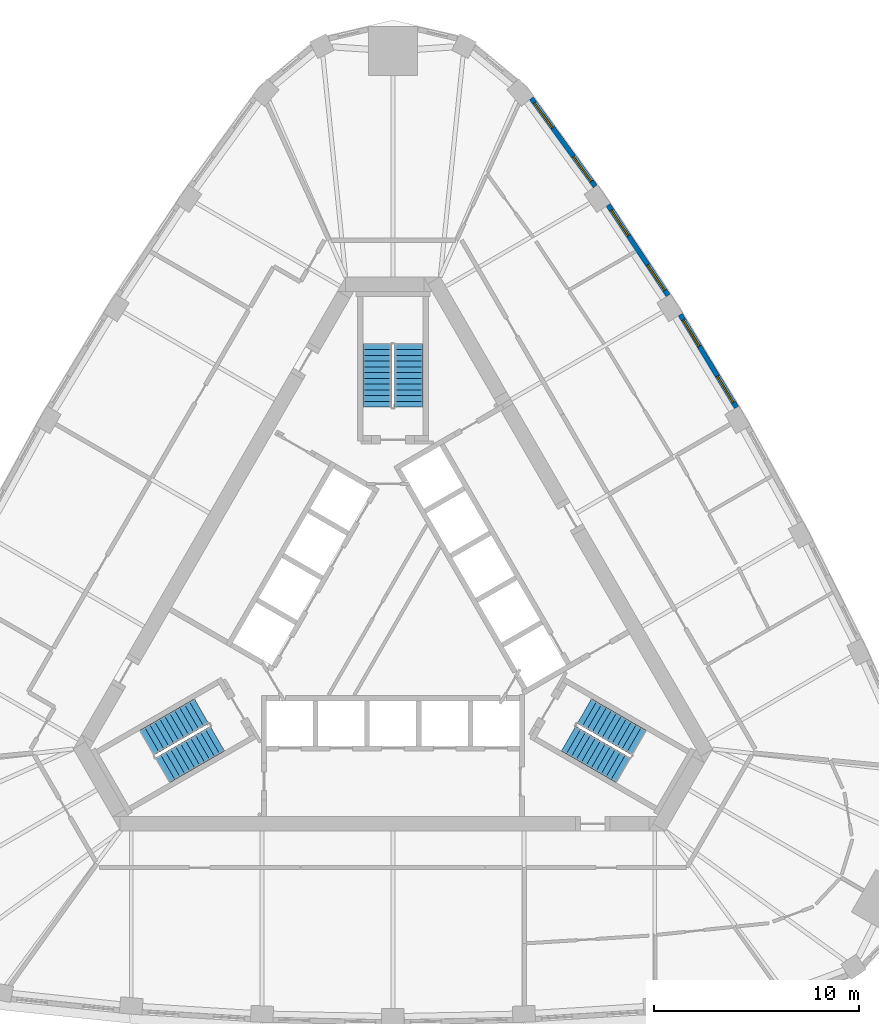
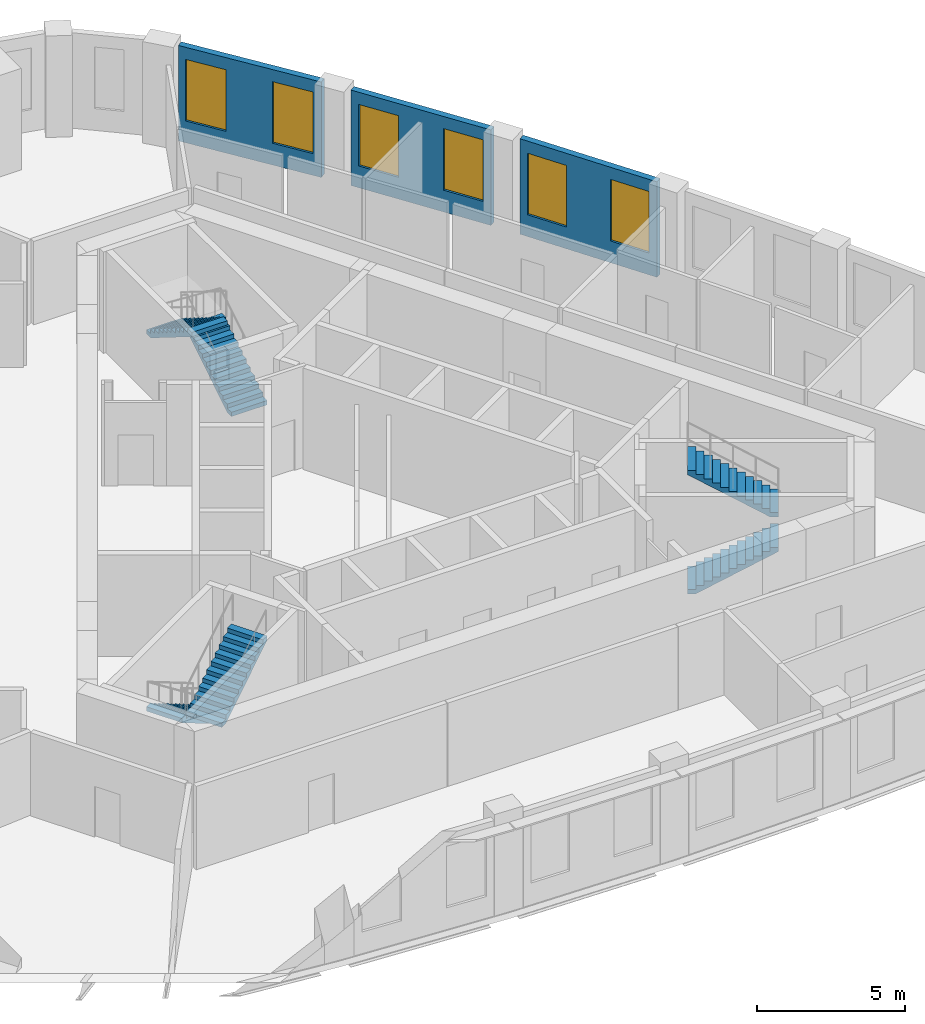
# One storey, part 9 of 10: 6 stair flights, 6 windows, 3 walls, 6 openings, 3 elements without a shape of their own.
"""IFC4 building model written with IfcOpenShell, lengths in metres."""

import ifcopenshell
import ifcopenshell.guid

model = None  # the IFC model being written
_history = None  # IfcOwnerHistory: only IFC2X3 demands one
_inside = {}  # id of a spatial element -> (the spatial element, [elements in it])
_under = {}  # id of a project, library or spatial element -> (it, [spatial elements below it])
_declared = {}  # id of a project -> (the project, [libraries it declares])
_typed = {}  # id of a type object -> (the type object, [elements of that type])
_made_of = {}  # id of a material, layer set ... -> (it, [elements and type objects made of it])


def new_model(schema):
    """Start an empty IFC model of exactly this schema.

    Asked for "IFC4X3", IfcOpenShell would pick the latest addendum, in which some entities
    have other attributes; the version numbers below select the first issue.
    IFC2X3 requires an IfcOwnerHistory on every rooted entity: one is made here for all.
    """
    global model, _history
    if schema == "IFC4X3":
        model = ifcopenshell.file(schema_version=(4, 3, 0, 0))
    else:
        model = ifcopenshell.file(schema=schema)
    _inside.clear()
    _under.clear()
    _declared.clear()
    _typed.clear()
    _made_of.clear()
    _history = None
    if model.schema == "IFC2X3":
        org = make("IfcOrganization", Name="unknown")
        user = make(
            "IfcPersonAndOrganization",
            ThePerson=make("IfcPerson", FamilyName="unknown"),
            TheOrganization=org,
        )
        app = make(
            "IfcApplication",
            ApplicationDeveloper=org,
            Version="unknown",
            ApplicationFullName="unknown",
            ApplicationIdentifier="unknown",
        )
        _history = make(
            "IfcOwnerHistory",
            OwningUser=user,
            OwningApplication=app,
            ChangeAction="ADDED",
            CreationDate=0,
        )
    return model


def make(cls, **values):
    """One entity of the class cls with the attributes given. An attribute that is None is left unset."""
    return model.create_entity(
        cls, **{name: value for name, value in values.items() if value is not None}
    )


def rooted(cls, **values):
    """An entity with a GlobalId (a new one), such as an element, a storey or a relation."""
    return make(cls, GlobalId=ifcopenshell.guid.new(), OwnerHistory=_history, **values)


def si_unit(unit_type, name, prefix=None):
    """IfcSIUnit, for example si_unit("LENGTHUNIT", "METRE", prefix="MILLI")."""
    return make("IfcSIUnit", UnitType=unit_type, Prefix=prefix, Name=name)


def assignment(units):
    """IfcUnitAssignment: the units of a project."""
    return None if units is None else make("IfcUnitAssignment", Units=units)


def point(xyz):
    """IfcCartesianPoint."""
    return None if xyz is None else make("IfcCartesianPoint", Coordinates=xyz)


def direction(xyz):
    """IfcDirection."""
    return None if xyz is None else make("IfcDirection", DirectionRatios=xyz)


def frame(location, z_axis=None, x_axis=None):
    """IfcAxis2Placement3D, a coordinate frame: its origin and axes. An axis left out is left unset."""
    return make(
        "IfcAxis2Placement3D",
        Location=point(location),
        Axis=direction(z_axis),
        RefDirection=direction(x_axis),
    )


def frame_2d(location, x_axis=None):
    """IfcAxis2Placement2D, a coordinate frame in the plane: its origin and x axis."""
    return make(
        "IfcAxis2Placement2D", Location=point(location), RefDirection=direction(x_axis)
    )


def origin():
    """The frame at (0, 0, 0) with its axes left unset."""
    return frame((0.0, 0.0, 0.0))


def place(relative_to, where):
    """IfcLocalPlacement: puts the frame where relative to a parent placement (None: the world)."""
    return make(
        "IfcLocalPlacement", PlacementRelTo=relative_to, RelativePlacement=where
    )


def context(
    kind, dimensions, precision=None, world=None, true_north=None, identifier=None
):
    """IfcGeometricRepresentationContext, for example the 3D "Model" context."""
    return make(
        "IfcGeometricRepresentationContext",
        ContextIdentifier=identifier,
        ContextType=kind,
        CoordinateSpaceDimension=dimensions,
        Precision=precision,
        WorldCoordinateSystem=world,
        TrueNorth=true_north,
    )


def subcontext(parent, identifier, kind, view, scale=None):
    """IfcGeometricRepresentationSubContext, for example "Body" below "Model"."""
    return make(
        "IfcGeometricRepresentationSubContext",
        ContextIdentifier=identifier,
        ContextType=kind,
        ParentContext=parent,
        TargetScale=scale,
        TargetView=view,
    )


def project(units=None, contexts=None):
    """IfcProject with its units and contexts."""
    return rooted(
        "IfcProject",
        Name="project",
        RepresentationContexts=contexts,
        UnitsInContext=assignment(units),
    )


def spatial(cls, under=None, at=None, **own):
    """A site, building, storey or space (cls), placed at a placement, below another one or the project."""
    s = rooted(cls, ObjectPlacement=at, **own)
    if under is not None:
        _under.setdefault(under.id(), (under, []))[1].append(s)
    return s


def polyline(points):
    """IfcPolyline through the points."""
    return make("IfcPolyline", Points=[point(p) for p in points])


def profile(cls, at=None, kind="AREA", **sizes):
    """A parametric profile (cls). Its sizes go by their IFC names, for example OverallWidth=200.0."""
    return make(cls, ProfileType=kind, Position=at, **sizes)


def rectangle(**sizes):
    """IfcRectangleProfileDef."""
    return profile("IfcRectangleProfileDef", **sizes)


def outline(outer, holes=None, kind="AREA"):
    """IfcArbitraryClosedProfileDef: a profile drawn as a closed curve; with holes, ...WithVoids."""
    if holes is None:
        return make("IfcArbitraryClosedProfileDef", ProfileType=kind, OuterCurve=outer)
    return make(
        "IfcArbitraryProfileDefWithVoids",
        ProfileType=kind,
        OuterCurve=outer,
        InnerCurves=holes,
    )


def extrude(swept, where, along, depth):
    """IfcExtrudedAreaSolid: the profile swept, set in the frame where, extruded along a direction by depth."""
    return make(
        "IfcExtrudedAreaSolid",
        SweptArea=swept,
        Position=where,
        ExtrudedDirection=direction(along),
        Depth=depth,
    )


def shape(context_of_items, identifier, shape_type, items):
    """IfcShapeRepresentation: the items that make up one representation, for example the "Body"."""
    return make(
        "IfcShapeRepresentation",
        ContextOfItems=context_of_items,
        RepresentationIdentifier=identifier,
        RepresentationType=shape_type,
        Items=items,
    )


def material(Name=None, Category=None):
    """IfcMaterial."""
    return make("IfcMaterial", Name=Name, Category=Category)


def layer(
    of_material, thickness, ventilated=None, Name=None, Category=None, Priority=None
):
    """IfcMaterialLayer: one layer of a wall or slab, of a material (None: an air gap)."""
    return make(
        "IfcMaterialLayer",
        Material=of_material,
        LayerThickness=thickness,
        IsVentilated=ventilated,
        Name=Name,
        Category=Category,
        Priority=Priority,
    )


def layer_set(layers, Name=None):
    """IfcMaterialLayerSet."""
    return make("IfcMaterialLayerSet", MaterialLayers=layers, LayerSetName=Name)


def made_of(thing, what):
    """Note that an element or type object is made of a material, layer set ...; save() writes the relation."""
    if what is not None:
        _made_of.setdefault(what.id(), (what, []))[1].append(thing)
    return thing


def type_object(cls, material=None, **own):
    """A type object (cls), such as IfcWallType, which elements share."""
    return made_of(rooted(cls, **own), material)


def element(
    cls,
    number,
    at=None,
    inside=None,
    cuts=None,
    type_object=None,
    material=None,
    context=None,
    identifier="Body",
    shape_type=None,
    held_by="IfcProductDefinitionShape",
    body=None,
    shapes=None,
    **own,
):
    """One element of the class cls, such as IfcWall. Its Tag is "e" and its number.

    at: its placement. inside: the storey or other place that contains it. cuts: it is an
    opening in that element (IfcRelVoidsElement). A single representation is given by context,
    identifier, shape_type and body (its items); several are given by shapes. held_by: the class
    of the entity that holds the representations. save() writes the other relations.
    """
    e = rooted(cls, Tag="e%d" % number, ObjectPlacement=at, **own)
    if body is not None:
        shapes = [shape(context, identifier, shape_type, body)]
    if shapes is not None:
        e.Representation = make(held_by, Representations=shapes)
    if inside is not None:
        _inside.setdefault(inside.id(), (inside, []))[1].append(e)
    if cuts is not None:
        rooted(
            "IfcRelVoidsElement", RelatingBuildingElement=cuts, RelatedOpeningElement=e
        )
    if type_object is not None:
        _typed.setdefault(type_object.id(), (type_object, []))[1].append(e)
    return made_of(e, material)


def fill(opening, filler):
    """IfcRelFillsElement: the door or window that sits in an opening."""
    return rooted(
        "IfcRelFillsElement",
        RelatingOpeningElement=opening,
        RelatedBuildingElement=filler,
    )


def aggregate(whole, parts):
    """IfcRelAggregates: a whole, such as a stair, and the parts it consists of."""
    return rooted("IfcRelAggregates", RelatingObject=whole, RelatedObjects=parts)


def save(model, path):
    """Write the relations noted so far, then the file.

    IfcRelAggregates (storeys below a building ...), IfcRelContainedInSpatialStructure (elements
    in a storey), IfcRelDefinesByType, IfcRelAssociatesMaterial and IfcRelDeclares: one each for
    every whole, place, type object, material and project.
    """
    for whole, parts in _under.values():
        aggregate(whole, parts)
    for where, things in _inside.values():
        rooted(
            "IfcRelContainedInSpatialStructure",
            RelatedElements=things,
            RelatingStructure=where,
        )
    for kind, things in _typed.values():
        rooted("IfcRelDefinesByType", RelatedObjects=things, RelatingType=kind)
    for what, things in _made_of.values():
        rooted("IfcRelAssociatesMaterial", RelatedObjects=things, RelatingMaterial=what)
    for by, libraries in _declared.values():
        rooted("IfcRelDeclares", RelatingContext=by, RelatedDefinitions=libraries)
    model.write(path)


model = new_model("IFC4")

# Units and contexts
model_context = context("Model", 3, precision=1e-05, world=origin(), true_north=direction((0.0, 1.0)))
body_context = subcontext(model_context, "Body", "Model", "MODEL_VIEW")
ifc_project = project(units=[si_unit("LENGTHUNIT", "METRE"), si_unit("AREAUNIT", "SQUARE_METRE"), si_unit("VOLUMEUNIT", "CUBIC_METRE"), si_unit("PLANEANGLEUNIT", "RADIAN"), si_unit("MASSUNIT", "GRAM", prefix="KILO")], contexts=[model_context])

# Site, building, storey
site_placement = place(None, origin())
site = spatial("IfcSite", under=ifc_project, at=site_placement, CompositionType="ELEMENT")
building_placement = place(site_placement, origin())
building = spatial("IfcBuilding", under=site, at=building_placement, Name="Mestral Congress Tower", CompositionType="ELEMENT")
storey_placement = place(building_placement, frame((0.0, 0.0, 226.800048828125)))
storey = spatial("IfcBuildingStorey", under=building, at=storey_placement, Name="L53", CompositionType="ELEMENT", Elevation=226.800048828125)

# Wall, openings, windows
ifc_material_1 = material(Name="Precast concrete C40/50 with limestone facing", Category="masonry")
ifc_layer = layer(ifc_material_1, 0.239990234375)
ifc_layer_set = layer_set([ifc_layer], Name="Precast concrete C40/50 with limestone facing")
wall_type = type_object("IfcWallType", Name="Facade stone wall 240", PredefinedType="SOLIDWALL", material=ifc_layer_set)
wall_1_placement = place(storey_placement, frame((16.78173828125, 10.331298828125, 0.0), z_axis=(0.0, 0.0, 1.0), x_axis=(-0.517846166225, 0.855473756538, 0.0)))
wall_1 = element("IfcWall", 1, at=wall_1_placement, inside=storey, type_object=wall_type, Name="Facade wall F1-03", PredefinedType="SOLIDWALL", context=body_context, shape_type="SweptSolid", body=[
    extrude(rectangle(XDim=5.298095703125, YDim=0.239990234375, at=frame_2d((2.64892578125, 0.0))), origin(), (0.0, 0.0, 1.0), 3.949951171875),
])
opening_1_placement = place(wall_1_placement, frame((0.29443359375, 0.0, 0.89990234375)))
opening_1 = element("IfcOpeningElement", 2, at=opening_1_placement, cuts=wall_1, Name="Opening W4", PredefinedType="OPENING", context=body_context, shape_type="SweptSolid", body=[
    extrude(rectangle(XDim=1.5, YDim=2.550048828125, at=frame_2d((0.75, 1.27490234375))), frame((0.0, 0.1298828125, 0.0), z_axis=(0.0, -1.0, 0.0), x_axis=(1.0, 0.0, 0.0)), (0.0, 0.0, 1.0), 0.260009765625),
])
opening_2_placement = place(wall_1_placement, frame((3.503662109375, 0.0, 0.89990234375)))
opening_2 = element("IfcOpeningElement", 3, at=opening_2_placement, cuts=wall_1, Name="Opening W4", PredefinedType="OPENING", context=body_context, shape_type="SweptSolid", body=[
    extrude(rectangle(XDim=1.5, YDim=2.550048828125, at=frame_2d((0.75, 1.27490234375))), frame((0.0, 0.1298828125, 0.0), z_axis=(0.0, -1.0, 0.0), x_axis=(1.0, 0.0, 0.0)), (0.0, 0.0, 1.0), 0.260009765625),
])
ifc_material_2 = material(Name="Clear low-emissivity double glazing", Category="glass")
window_type = type_object("IfcWindowType", Name="Facade punched window 1500 x 2550 sill 900", PartitioningType="SINGLE_PANEL", PredefinedType="WINDOW", material=ifc_material_2)
window_1_placement = place(opening_1_placement, origin())
window_1 = element("IfcWindow", 4, at=window_1_placement, inside=storey, type_object=window_type, Name="Window F1-03a", OverallHeight=2.550048828125, OverallWidth=1.5, PartitioningType="SINGLE_PANEL", PredefinedType="WINDOW", context=body_context, shape_type="SweptSolid", body=[
    extrude(rectangle(XDim=1.5, YDim=2.550048828125, at=frame_2d((0.75, 1.27490234375))), frame((0.0, 0.0400390625, 0.0), z_axis=(0.0, -1.0, 0.0), x_axis=(1.0, 0.0, 0.0)), (0.0, 0.0, 1.0), 0.06005859375),
])
fill(opening_1, window_1)
window_2_placement = place(opening_2_placement, origin())
window_2 = element("IfcWindow", 5, at=window_2_placement, inside=storey, type_object=window_type, Name="Window F1-03b", OverallHeight=2.550048828125, OverallWidth=1.5, PartitioningType="SINGLE_PANEL", PredefinedType="WINDOW", context=body_context, shape_type="SweptSolid", body=[
    extrude(rectangle(XDim=1.5, YDim=2.550048828125, at=frame_2d((0.75, 1.27490234375))), frame((0.0, 0.0400390625, 0.0), z_axis=(0.0, -1.0, 0.0), x_axis=(1.0, 0.0, 0.0)), (0.0, 0.0, 1.0), 0.06005859375),
])
fill(opening_2, window_2)

wall_2_placement = place(storey_placement, frame((13.442138671875, 15.803466796875, 0.0), z_axis=(0.0, 0.0, 1.0), x_axis=(-0.552901821755, 0.833246407433, 0.0)))
wall_2 = element("IfcWall", 6, at=wall_2_placement, inside=storey, type_object=wall_type, Name="Facade wall F1-04", PredefinedType="SOLIDWALL", context=body_context, shape_type="SweptSolid", body=[
    extrude(rectangle(XDim=5.29833984375, YDim=0.239990234375, at=frame_2d((2.649169921875, 0.0))), origin(), (0.0, 0.0, 1.0), 3.949951171875),
])
opening_3_placement = place(wall_2_placement, frame((0.294677734375, 0.0, 0.89990234375)))
opening_3 = element("IfcOpeningElement", 7, at=opening_3_placement, cuts=wall_2, Name="Opening W4", PredefinedType="OPENING", context=body_context, shape_type="SweptSolid", body=[
    extrude(rectangle(XDim=1.5, YDim=2.550048828125, at=frame_2d((0.75, 1.27490234375))), frame((0.0, 0.1298828125, 0.0), z_axis=(0.0, -1.0, 0.0), x_axis=(1.0, 0.0, 0.0)), (0.0, 0.0, 1.0), 0.260009765625),
])
opening_4_placement = place(wall_2_placement, frame((3.50390625, 0.0, 0.89990234375)))
opening_4 = element("IfcOpeningElement", 8, at=opening_4_placement, cuts=wall_2, Name="Opening W4", PredefinedType="OPENING", context=body_context, shape_type="SweptSolid", body=[
    extrude(rectangle(XDim=1.5, YDim=2.550048828125, at=frame_2d((0.75, 1.27490234375))), frame((0.0, 0.1298828125, 0.0), z_axis=(0.0, -1.0, 0.0), x_axis=(1.0, 0.0, 0.0)), (0.0, 0.0, 1.0), 0.260009765625),
])
window_3_placement = place(opening_3_placement, origin())
window_3 = element("IfcWindow", 9, at=window_3_placement, inside=storey, type_object=window_type, Name="Window F1-04a", OverallHeight=2.550048828125, OverallWidth=1.5, PartitioningType="SINGLE_PANEL", PredefinedType="WINDOW", context=body_context, shape_type="SweptSolid", body=[
    extrude(rectangle(XDim=1.5, YDim=2.550048828125, at=frame_2d((0.75, 1.27490234375))), frame((0.0, 0.0400390625, 0.0), z_axis=(0.0, -1.0, 0.0), x_axis=(1.0, 0.0, 0.0)), (0.0, 0.0, 1.0), 0.06005859375),
])
fill(opening_3, window_3)
window_4_placement = place(opening_4_placement, origin())
window_4 = element("IfcWindow", 10, at=window_4_placement, inside=storey, type_object=window_type, Name="Window F1-04b", OverallHeight=2.550048828125, OverallWidth=1.5, PartitioningType="SINGLE_PANEL", PredefinedType="WINDOW", context=body_context, shape_type="SweptSolid", body=[
    extrude(rectangle(XDim=1.5, YDim=2.550048828125, at=frame_2d((0.75, 1.27490234375))), frame((0.0, 0.0400390625, 0.0), z_axis=(0.0, -1.0, 0.0), x_axis=(1.0, 0.0, 0.0)), (0.0, 0.0, 1.0), 0.06005859375),
])
fill(opening_4, window_4)

wall_3_placement = place(storey_placement, frame((9.87841796875, 21.13232421875, 0.0), z_axis=(0.0, 0.0, 1.0), x_axis=(-0.586998456641, 0.80958805074, 0.0)))
wall_3 = element("IfcWall", 11, at=wall_3_placement, inside=storey, type_object=wall_type, Name="Facade wall F1-05", PredefinedType="SOLIDWALL", context=body_context, shape_type="SweptSolid", body=[
    extrude(rectangle(XDim=5.310791015625, YDim=0.239990234375, at=frame_2d((2.6552734375, 0.0))), origin(), (0.0, 0.0, 1.0), 3.949951171875),
])
opening_5_placement = place(wall_3_placement, frame((0.306396484375, 0.0, 0.89990234375)))
opening_5 = element("IfcOpeningElement", 12, at=opening_5_placement, cuts=wall_3, Name="Opening W4", PredefinedType="OPENING", context=body_context, shape_type="SweptSolid", body=[
    extrude(rectangle(XDim=1.5, YDim=2.550048828125, at=frame_2d((0.75, 1.27490234375))), frame((0.0, 0.1298828125, 0.0), z_axis=(0.0, -1.0, 0.0), x_axis=(1.0, 0.0, 0.0)), (0.0, 0.0, 1.0), 0.260009765625),
])
opening_6_placement = place(wall_3_placement, frame((3.539306640625, 0.0, 0.89990234375)))
opening_6 = element("IfcOpeningElement", 13, at=opening_6_placement, cuts=wall_3, Name="Opening W4", PredefinedType="OPENING", context=body_context, shape_type="SweptSolid", body=[
    extrude(rectangle(XDim=1.5, YDim=2.550048828125, at=frame_2d((0.75, 1.27490234375))), frame((0.0, 0.1298828125, 0.0), z_axis=(0.0, -1.0, 0.0), x_axis=(1.0, 0.0, 0.0)), (0.0, 0.0, 1.0), 0.260009765625),
])
window_5_placement = place(opening_5_placement, origin())
window_5 = element("IfcWindow", 14, at=window_5_placement, inside=storey, type_object=window_type, Name="Window F1-05a", OverallHeight=2.550048828125, OverallWidth=1.5, PartitioningType="SINGLE_PANEL", PredefinedType="WINDOW", context=body_context, shape_type="SweptSolid", body=[
    extrude(rectangle(XDim=1.5, YDim=2.550048828125, at=frame_2d((0.75, 1.27490234375))), frame((0.0, 0.0400390625, 0.0), z_axis=(0.0, -1.0, 0.0), x_axis=(1.0, 0.0, 0.0)), (0.0, 0.0, 1.0), 0.06005859375),
])
fill(opening_5, window_5)
window_6_placement = place(opening_6_placement, origin())
window_6 = element("IfcWindow", 15, at=window_6_placement, inside=storey, type_object=window_type, Name="Window F1-05b", OverallHeight=2.550048828125, OverallWidth=1.5, PartitioningType="SINGLE_PANEL", PredefinedType="WINDOW", context=body_context, shape_type="SweptSolid", body=[
    extrude(rectangle(XDim=1.5, YDim=2.550048828125, at=frame_2d((0.75, 1.27490234375))), frame((0.0, 0.0400390625, 0.0), z_axis=(0.0, -1.0, 0.0), x_axis=(1.0, 0.0, 0.0)), (0.0, 0.0, 1.0), 0.06005859375),
])
fill(opening_6, window_6)

# Stair, stair flights
ifc_material_3 = material(Name="Concrete C60/75", Category="concrete")
stair_type = type_object("IfcStairType", Name="Exit stair 1400", PredefinedType="HALF_TURN_STAIR", material=ifc_material_3)
placement = place(storey_placement, origin())
stair_1 = element("IfcStair", 16, at=placement, inside=storey, type_object=stair_type, Name="L53 ST1", PredefinedType="HALF_TURN_STAIR")
stair_flight_type = type_object("IfcStairFlightType", Name="Exit stair flight 1400", PredefinedType="STRAIGHT", material=ifc_material_3)
stair_flight_1_placement = place(storey_placement, frame((8.575927734375, -5.84619140625, 0.0), z_axis=(0.0, 0.0, 1.0), x_axis=(0.866025403784, -0.5, 0.0)))
stair_flight_1 = element("IfcStairFlight", 17, at=stair_flight_1_placement, type_object=stair_flight_type, Name="ST1 flight 1", NumberOfRisers=12, NumberOfTreads=11, PredefinedType="STRAIGHT", RiserHeight=0.175, TreadLength=0.28, context=body_context, shape_type="SweptSolid", body=[
    extrude(outline(polyline([(0.0, 0.0), (0.0, 0.175048828125), (0.280029296875, 0.175048828125), (0.280029296875, 0.35009765625), (0.56005859375, 0.35009765625), (0.56005859375, 0.52490234375), (0.840087890625, 0.52490234375), (0.840087890625, 0.699951171875), (1.1201171875, 0.699951171875), (1.1201171875, 0.875), (1.39990234375, 0.875), (1.39990234375, 1.050048828125), (1.679931640625, 1.050048828125), (1.679931640625, 1.22509765625), (1.9599609375, 1.22509765625), (1.9599609375, 1.39990234375), (2.239990234375, 1.39990234375), (2.239990234375, 1.574951171875), (2.52001953125, 1.574951171875), (2.52001953125, 1.75), (2.800048828125, 1.75), (2.800048828125, 1.925048828125), (3.080078125, 1.925048828125), (3.080078125, 2.10009765625), (3.080078125, 1.748291015625), (0.28271484375, 0.0), (0.0, 0.0)])), frame((0.0, 0.699951171875, 0.0), z_axis=(0.0, -1.0, 0.0), x_axis=(1.0, 0.0, 0.0)), (0.0, 0.0, 1.0), 1.39990234375),
])
stair_flight_2_placement = place(storey_placement, frame((12.018310546875, -6.0439453125, 2.099853515625), z_axis=(0.0, 0.0, 1.0), x_axis=(-0.866025403784, 0.5, 0.0)))
stair_flight_2 = element("IfcStairFlight", 18, at=stair_flight_2_placement, type_object=stair_flight_type, Name="ST1 flight 2", NumberOfRisers=12, NumberOfTreads=11, PredefinedType="STRAIGHT", RiserHeight=0.175, TreadLength=0.28, context=body_context, shape_type="SweptSolid", body=[
    extrude(outline(polyline([(0.0, 0.0), (0.0, 0.175048828125), (0.280029296875, 0.175048828125), (0.280029296875, 0.35009765625), (0.56005859375, 0.35009765625), (0.56005859375, 0.52490234375), (0.840087890625, 0.52490234375), (0.840087890625, 0.699951171875), (1.1201171875, 0.699951171875), (1.1201171875, 0.875), (1.39990234375, 0.875), (1.39990234375, 1.050048828125), (1.679931640625, 1.050048828125), (1.679931640625, 1.22509765625), (1.9599609375, 1.22509765625), (1.9599609375, 1.39990234375), (2.239990234375, 1.39990234375), (2.239990234375, 1.574951171875), (2.52001953125, 1.574951171875), (2.52001953125, 1.75), (2.800048828125, 1.75), (2.800048828125, 1.925048828125), (3.080078125, 1.925048828125), (3.080078125, 2.10009765625), (3.080078125, 1.748291015625), (0.28271484375, 0.0), (0.0, 0.0)])), frame((0.0, 0.699951171875, 0.0), z_axis=(0.0, -1.0, 0.0), x_axis=(1.0, 0.0, 0.0)), (0.0, 0.0, 1.0), 1.39990234375),
])
aggregate(stair_1, [stair_flight_1, stair_flight_2])

stair_2 = element("IfcStair", 19, at=placement, inside=storey, type_object=stair_type, Name="L53 ST2", PredefinedType="HALF_TURN_STAIR")
stair_flight_3_placement = place(storey_placement, frame((0.77490234375, 10.35009765625, 0.0), z_axis=(0.0, 0.0, 1.0), x_axis=(0.0, 1.0, 0.0)))
stair_flight_3 = element("IfcStairFlight", 20, at=stair_flight_3_placement, type_object=stair_flight_type, Name="ST2 flight 1", NumberOfRisers=12, NumberOfTreads=11, PredefinedType="STRAIGHT", RiserHeight=0.175, TreadLength=0.28, context=body_context, shape_type="SweptSolid", body=[
    extrude(outline(polyline([(0.0, 0.0), (0.0, 0.175048828125), (0.280029296875, 0.175048828125), (0.280029296875, 0.35009765625), (0.56005859375, 0.35009765625), (0.56005859375, 0.52490234375), (0.840087890625, 0.52490234375), (0.840087890625, 0.699951171875), (1.1201171875, 0.699951171875), (1.1201171875, 0.875), (1.39990234375, 0.875), (1.39990234375, 1.050048828125), (1.679931640625, 1.050048828125), (1.679931640625, 1.22509765625), (1.9599609375, 1.22509765625), (1.9599609375, 1.39990234375), (2.239990234375, 1.39990234375), (2.239990234375, 1.574951171875), (2.52001953125, 1.574951171875), (2.52001953125, 1.75), (2.800048828125, 1.75), (2.800048828125, 1.925048828125), (3.080078125, 1.925048828125), (3.080078125, 2.10009765625), (3.080078125, 1.748291015625), (0.28271484375, 0.0), (0.0, 0.0)])), frame((0.0, 0.699951171875, 0.0), z_axis=(0.0, -1.0, 0.0), x_axis=(1.0, 0.0, 0.0)), (0.0, 0.0, 1.0), 1.39990234375),
])
stair_flight_4_placement = place(storey_placement, frame((-0.77490234375, 13.429931640625, 2.099853515625), z_axis=(0.0, 0.0, 1.0), x_axis=(0.0, -1.0, 0.0)))
stair_flight_4 = element("IfcStairFlight", 21, at=stair_flight_4_placement, type_object=stair_flight_type, Name="ST2 flight 2", NumberOfRisers=12, NumberOfTreads=11, PredefinedType="STRAIGHT", RiserHeight=0.175, TreadLength=0.28, context=body_context, shape_type="SweptSolid", body=[
    extrude(outline(polyline([(0.0, 0.0), (0.0, 0.175048828125), (0.280029296875, 0.175048828125), (0.280029296875, 0.35009765625), (0.56005859375, 0.35009765625), (0.56005859375, 0.52490234375), (0.840087890625, 0.52490234375), (0.840087890625, 0.699951171875), (1.1201171875, 0.699951171875), (1.1201171875, 0.875), (1.39990234375, 0.875), (1.39990234375, 1.050048828125), (1.679931640625, 1.050048828125), (1.679931640625, 1.22509765625), (1.9599609375, 1.22509765625), (1.9599609375, 1.39990234375), (2.239990234375, 1.39990234375), (2.239990234375, 1.574951171875), (2.52001953125, 1.574951171875), (2.52001953125, 1.75), (2.800048828125, 1.75), (2.800048828125, 1.925048828125), (3.080078125, 1.925048828125), (3.080078125, 2.10009765625), (3.080078125, 1.748291015625), (0.28271484375, 0.0), (0.0, 0.0)])), frame((0.0, 0.699951171875, 0.0), z_axis=(0.0, -1.0, 0.0), x_axis=(1.0, 0.0, 0.0)), (0.0, 0.0, 1.0), 1.39990234375),
])
aggregate(stair_2, [stair_flight_3, stair_flight_4])

stair_3 = element("IfcStair", 22, at=placement, inside=storey, type_object=stair_type, Name="L53 ST3", PredefinedType="HALF_TURN_STAIR")
stair_flight_5_placement = place(storey_placement, frame((-9.350830078125, -4.50390625, 0.0), z_axis=(0.0, 0.0, 1.0), x_axis=(-0.866025403784, -0.5, 0.0)))
stair_flight_5 = element("IfcStairFlight", 23, at=stair_flight_5_placement, type_object=stair_flight_type, Name="ST3 flight 1", NumberOfRisers=12, NumberOfTreads=11, PredefinedType="STRAIGHT", RiserHeight=0.175, TreadLength=0.28, context=body_context, shape_type="SweptSolid", body=[
    extrude(outline(polyline([(0.0, 0.0), (0.0, 0.175048828125), (0.280029296875, 0.175048828125), (0.280029296875, 0.35009765625), (0.56005859375, 0.35009765625), (0.56005859375, 0.52490234375), (0.840087890625, 0.52490234375), (0.840087890625, 0.699951171875), (1.1201171875, 0.699951171875), (1.1201171875, 0.875), (1.39990234375, 0.875), (1.39990234375, 1.050048828125), (1.679931640625, 1.050048828125), (1.679931640625, 1.22509765625), (1.9599609375, 1.22509765625), (1.9599609375, 1.39990234375), (2.239990234375, 1.39990234375), (2.239990234375, 1.574951171875), (2.52001953125, 1.574951171875), (2.52001953125, 1.75), (2.800048828125, 1.75), (2.800048828125, 1.925048828125), (3.080078125, 1.925048828125), (3.080078125, 2.10009765625), (3.080078125, 1.748291015625), (0.28271484375, 0.0), (0.0, 0.0)])), frame((0.0, 0.699951171875, 0.0), z_axis=(0.0, -1.0, 0.0), x_axis=(1.0, 0.0, 0.0)), (0.0, 0.0, 1.0), 1.39990234375),
])
stair_flight_6_placement = place(storey_placement, frame((-11.2431640625, -7.38623046875, 2.099853515625), z_axis=(0.0, 0.0, 1.0), x_axis=(0.866025403784, 0.5, 0.0)))
stair_flight_6 = element("IfcStairFlight", 24, at=stair_flight_6_placement, type_object=stair_flight_type, Name="ST3 flight 2", NumberOfRisers=12, NumberOfTreads=11, PredefinedType="STRAIGHT", RiserHeight=0.175, TreadLength=0.28, context=body_context, shape_type="SweptSolid", body=[
    extrude(outline(polyline([(0.0, 0.0), (0.0, 0.175048828125), (0.280029296875, 0.175048828125), (0.280029296875, 0.35009765625), (0.56005859375, 0.35009765625), (0.56005859375, 0.52490234375), (0.840087890625, 0.52490234375), (0.840087890625, 0.699951171875), (1.1201171875, 0.699951171875), (1.1201171875, 0.875), (1.39990234375, 0.875), (1.39990234375, 1.050048828125), (1.679931640625, 1.050048828125), (1.679931640625, 1.22509765625), (1.9599609375, 1.22509765625), (1.9599609375, 1.39990234375), (2.239990234375, 1.39990234375), (2.239990234375, 1.574951171875), (2.52001953125, 1.574951171875), (2.52001953125, 1.75), (2.800048828125, 1.75), (2.800048828125, 1.925048828125), (3.080078125, 1.925048828125), (3.080078125, 2.10009765625), (3.080078125, 1.748291015625), (0.28271484375, 0.0), (0.0, 0.0)])), frame((0.0, 0.699951171875, 0.0), z_axis=(0.0, -1.0, 0.0), x_axis=(1.0, 0.0, 0.0)), (0.0, 0.0, 1.0), 1.39990234375),
])
aggregate(stair_3, [stair_flight_5, stair_flight_6])

save(model, "model.ifc")
